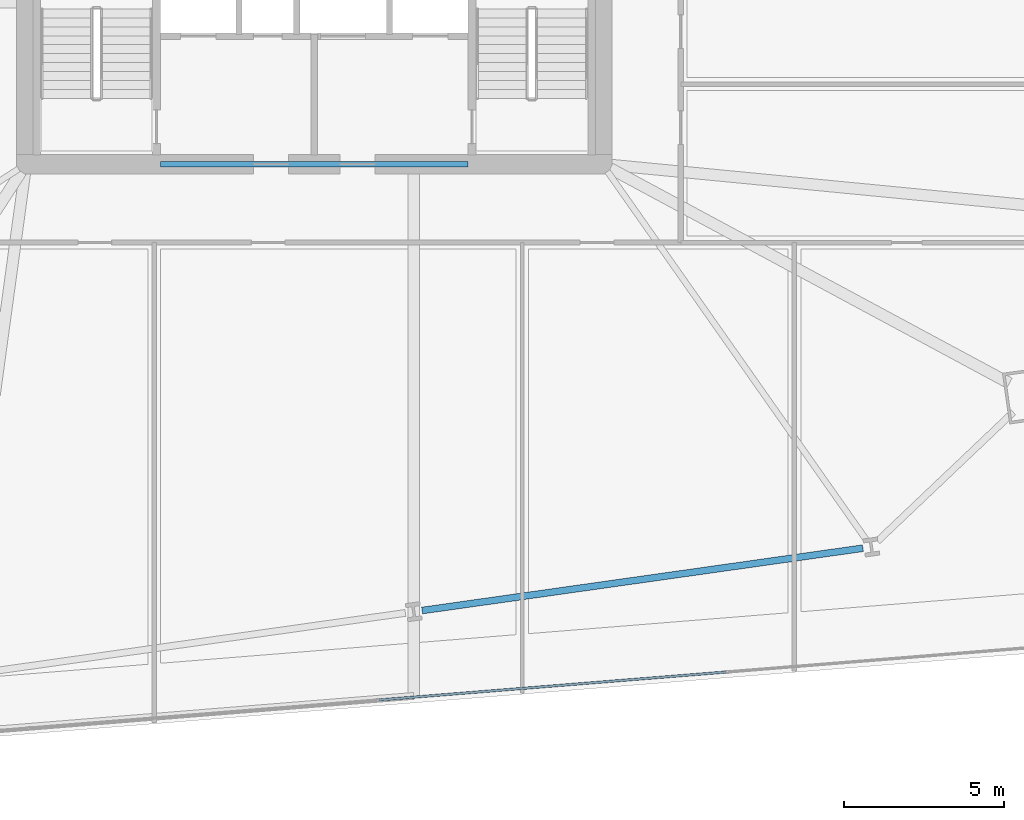
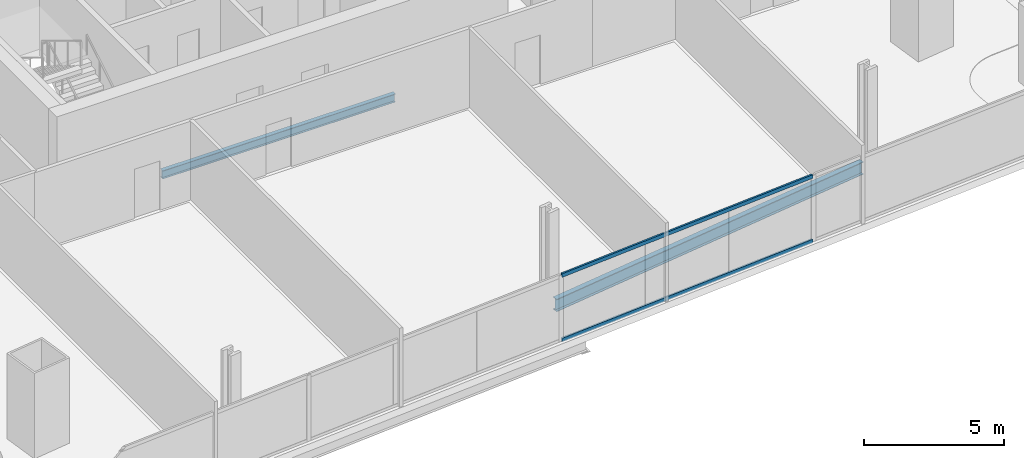
# One storey, part 8 of 33: 2 beams, 2 members, 1 element without a shape of its own.
"""IFC4 building model written with IfcOpenShell, lengths in metres."""

from ifc_helpers import new_model, si_unit, direction, frame, origin, origin_2d, place, context, subcontext, project, spatial, hollow_rectangle, i_section, extrude, material, material_profile, profile_set, type_object, element, aggregate, save


model = new_model("IFC4")

# Units and contexts
model_context = context("Model", 3, precision=1e-05, world=origin(), true_north=direction((0.0, 1.0)))
body_context = subcontext(model_context, "Body", "Model", "MODEL_VIEW")
ifc_project = project(units=[si_unit("LENGTHUNIT", "METRE"), si_unit("AREAUNIT", "SQUARE_METRE"), si_unit("VOLUMEUNIT", "CUBIC_METRE"), si_unit("PLANEANGLEUNIT", "RADIAN"), si_unit("MASSUNIT", "GRAM", prefix="KILO")], contexts=[model_context])

# Site, building, storey
site_placement = place(None, origin())
site = spatial("IfcSite", under=ifc_project, at=site_placement, CompositionType="ELEMENT")
building_placement = place(site_placement, origin())
building = spatial("IfcBuilding", under=site, at=building_placement, Name="Haldenkirk Collegiate Tower", CompositionType="ELEMENT")
storey_placement = place(building_placement, frame((0.0, 0.0, 43.949951171875)))
storey = spatial("IfcBuildingStorey", under=building, at=storey_placement, Name="L09", CompositionType="ELEMENT", Elevation=43.949951171875)

# Beams
ifc_material_1 = material(Name="Steel ASTM A992 Grade 50", Category="steel")
ifc_material_profile_1 = material_profile(ifc_material_1, i_section(OverallWidth=0.1708984375, OverallDepth=0.35595703125, WebThickness=0.007080078125, FlangeThickness=0.01171875, at=origin_2d()), Name="W14X34")
ifc_profile_set_1 = profile_set([ifc_material_profile_1], Name="Steel ASTM A992 Grade 50")
beam_type_1 = type_object("IfcBeamType", Name="BM-LINTEL-W14X34", PredefinedType="LINTEL", material=ifc_profile_set_1)
beam_1_placement = place(storey_placement, frame((31.199951171875, 18.0, -0.488037109375), z_axis=(1.0, 0.0, 0.0), x_axis=(0.0, 1.0, 0.0)))
element("IfcBeam", 1, at=beam_1_placement, inside=storey, type_object=beam_type_1, Name="L09 south core coupling lintel", PredefinedType="LINTEL", context=body_context, shape_type="SweptSolid", body=[
    extrude(i_section(OverallWidth=0.1708984375, OverallDepth=0.35595703125, WebThickness=0.007080078125, FlangeThickness=0.01171875, at=origin_2d()), origin(), (0.0, 0.0, 1.0), 9.60009765625),
])
ifc_material_profile_2 = material_profile(ifc_material_1, i_section(OverallWidth=0.2119140625, OverallDepth=0.5439453125, WebThickness=0.01318359375, FlangeThickness=0.021240234375, at=origin_2d()), Name="W21X83")
ifc_profile_set_2 = profile_set([ifc_material_profile_2], Name="Steel ASTM A992 Grade 50")
beam_type_2 = type_object("IfcBeamType", Name="BM-SPANDREL-W21X83", PredefinedType="SPANDREL", material=ifc_profile_set_2)
beam_2_placement = place(storey_placement, frame((39.37060546875, 4.055908203125, -0.58203125), z_axis=(0.990146197746, 0.14003752029, 0.0), x_axis=(-0.14003752029, 0.990146197746, 0.0)))
element("IfcBeam", 2, at=beam_2_placement, inside=storey, type_object=beam_type_2, Name="L09 perimeter spandrel beam 03", PredefinedType="SPANDREL", context=body_context, shape_type="SweptSolid", body=[
    extrude(i_section(OverallWidth=0.2119140625, OverallDepth=0.5439453125, WebThickness=0.01318359375, FlangeThickness=0.021240234375, at=origin_2d()), origin(), (0.0, 0.0, 1.0), 13.906982421875),
])

# Curtain wall, members
ifc_material_2 = material(Name="Anodised architectural bronze aluminium", Category="aluminium")
curtain_wall_type = type_object("IfcCurtainWallType", Name="CW-SYS2-CONCAVE", PredefinedType="USERDEFINED", material=ifc_material_2)
curtain_wall_placement = place(storey_placement, origin())
curtain_wall = element("IfcCurtainWall", 3, at=curtain_wall_placement, inside=storey, type_object=curtain_wall_type, Name="L09 South concave recessed bronze-anodised curtain wall", ObjectType="UNITISED CURTAIN WALL", PredefinedType="USERDEFINED")
ifc_material_profile_3 = material_profile(ifc_material_2, hollow_rectangle(XDim=0.074951171875, YDim=0.159912109375, WallThickness=0.0048828125, at=origin_2d()), Name="CW-TRN-02")
ifc_profile_set_3 = profile_set([ifc_material_profile_3], Name="Anodised architectural bronze aluminium")
member_type = type_object("IfcMemberType", Name="CW-TRN-02", PredefinedType="USERDEFINED", material=ifc_profile_set_3)
member_1_placement = place(storey_placement, frame((48.867919921875, 2.135009765625, 0.03759765625), z_axis=(-0.996779631503, -0.080189564283, 0.0), x_axis=(0.080189564283, -0.996779631503, 0.0)))
member_1 = element("IfcMember", 4, at=member_1_placement, type_object=member_type, Name="CW-02 transom 2.1", ObjectType="TRANSOM", PredefinedType="USERDEFINED", context=body_context, shape_type="SweptSolid", body=[
    extrude(hollow_rectangle(XDim=0.074951171875, YDim=0.159912109375, WallThickness=0.0048828125, at=origin_2d()), origin(), (0.0, 0.0, 1.0), 10.875),
])
member_2_placement = place(storey_placement, frame((48.867919921875, 2.135009765625, 2.853515625), z_axis=(-0.996779631503, -0.080189564283, 0.0), x_axis=(0.080189564283, -0.996779631503, 0.0)))
member_2 = element("IfcMember", 5, at=member_2_placement, type_object=member_type, Name="CW-02 transom 2.2", ObjectType="TRANSOM", PredefinedType="USERDEFINED", context=body_context, shape_type="SweptSolid", body=[
    extrude(hollow_rectangle(XDim=0.074951171875, YDim=0.159912109375, WallThickness=0.0048828125, at=origin_2d()), origin(), (0.0, 0.0, 1.0), 10.875),
])
aggregate(curtain_wall, [member_1, member_2])

save(model, "model.ifc")
